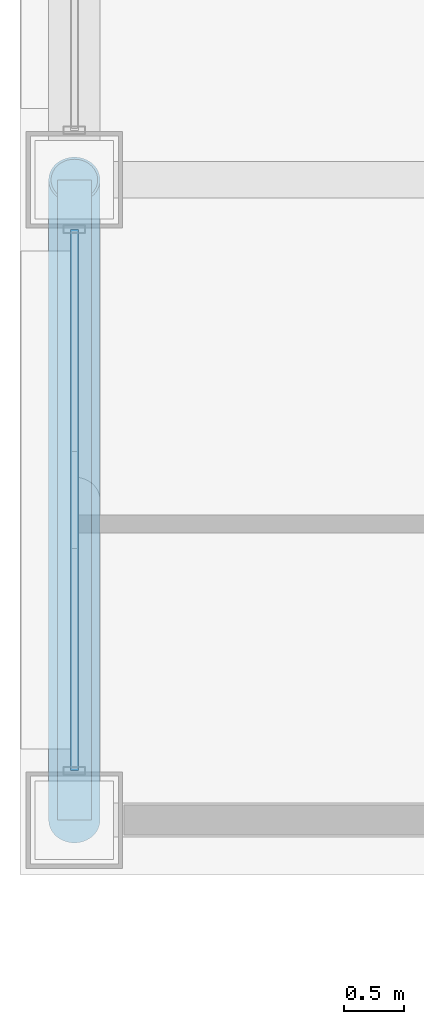
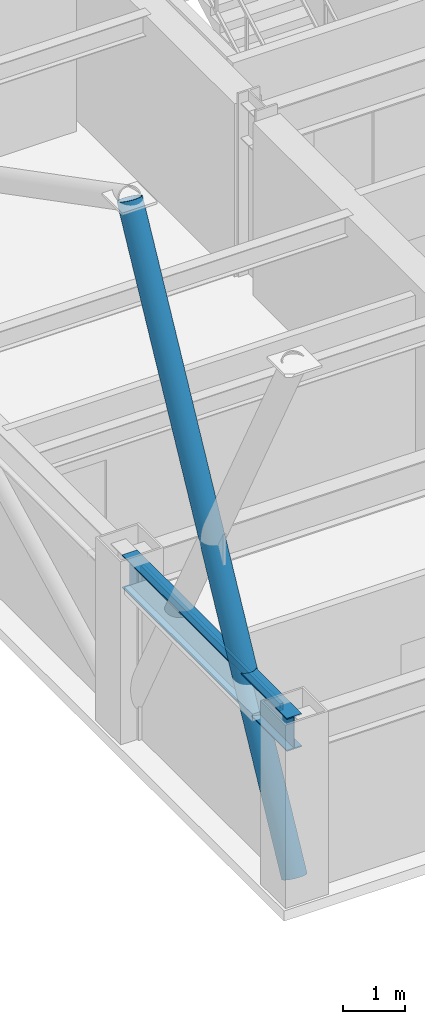
# One storey, part 3 of 33: 2 members, 1 beam, 1 element without a shape of its own.
"""IFC4 building model written with IfcOpenShell, lengths in metres."""

from ifc_helpers import new_model, si_unit, direction, frame, origin, origin_2d, place, context, subcontext, project, spatial, hollow_rectangle, hollow_circle, i_section, extrude, material, layer, layer_set, material_profile, profile_set, type_object, element, aggregate, save


model = new_model("IFC4")

# Units and contexts
model_context = context("Model", 3, precision=1e-05, world=origin(), true_north=direction((0.0, 1.0)))
body_context = subcontext(model_context, "Body", "Model", "MODEL_VIEW")
ifc_project = project(units=[si_unit("LENGTHUNIT", "METRE"), si_unit("AREAUNIT", "SQUARE_METRE"), si_unit("VOLUMEUNIT", "CUBIC_METRE"), si_unit("PLANEANGLEUNIT", "RADIAN"), si_unit("MASSUNIT", "GRAM", prefix="KILO")], contexts=[model_context])

# Site, building, storey
site_placement = place(None, origin())
site = spatial("IfcSite", under=ifc_project, at=site_placement, CompositionType="ELEMENT")
building_placement = place(site_placement, origin())
building = spatial("IfcBuilding", under=site, at=building_placement, Name="Brelmoor Portico Tower", CompositionType="ELEMENT")
storey_placement = place(building_placement, frame((0.0, 0.0, 120.60009765625)))
storey = spatial("IfcBuildingStorey", under=building, at=storey_placement, Name="L31", CompositionType="ELEMENT", Elevation=120.60009765625)

# Beam
ifc_material_1 = material(Name="Steel Q355B", Category="steel")
ifc_material_profile_1 = material_profile(ifc_material_1, i_section(OverallWidth=0.280029296875, OverallDepth=0.64990234375, WebThickness=0.012939453125, FlangeThickness=0.02197265625, at=origin_2d()), Name="HN 650x280x13x22")
ifc_profile_set_1 = profile_set([ifc_material_profile_1], Name="Steel Q355B")
beam_type = type_object("IfcBeamType", Name="BM-SP-650", PredefinedType="SPANDREL", material=ifc_profile_set_1)
beam_placement = place(storey_placement, frame((-22.550048828125, -15.050048828125, 3.074951171875), z_axis=(0.0, 1.0, 0.0), x_axis=(-1.0, 0.0, 0.0)))
element("IfcBeam", 1, at=beam_placement, inside=storey, type_object=beam_type, Name="L31 Perimeter Spandrel Beam SP-15", PredefinedType="SPANDREL", context=body_context, shape_type="SweptSolid", body=[
    extrude(i_section(OverallWidth=0.280029296875, OverallDepth=0.64990234375, WebThickness=0.012939453125, FlangeThickness=0.02197265625, at=origin_2d()), origin(), (0.0, 0.0, 1.0), 5.300048828125),
])

# Member
ifc_material_profile_2 = material_profile(ifc_material_1, hollow_circle(Radius=0.212890625, WallThickness=0.02001953125, at=origin_2d()), Name="CHS 426x20")
ifc_profile_set_2 = profile_set([ifc_material_profile_2], Name="Steel Q355B")
member_type_1 = type_object("IfcMemberType", Name="MB-BELT-DIAG1", PredefinedType="BRACE", material=ifc_profile_set_2)
member_1_placement = place(storey_placement, frame((-22.550048828125, -15.050048828125, 0.25), z_axis=(0.0, 0.464670709165, 0.885483558314), x_axis=(-1.0, 0.0, 0.0)))
element("IfcMember", 2, at=member_1_placement, inside=storey, type_object=member_type_1, Name="L31 Continuous Mega-X Brace 069A", PredefinedType="BRACE", context=body_context, shape_type="SweptSolid", body=[
    extrude(hollow_circle(Radius=0.212890625, WallThickness=0.02001953125, at=origin_2d()), origin(), (0.0, 0.0, 1.0), 11.406005859375),
])

# Curtain wall, member
ifc_material_2 = material(Name="Anodised Aluminium Alloy 6063-T6", Category="aluminium")
ifc_layer = layer(ifc_material_2, 0.179931640625)
ifc_layer_set = layer_set([ifc_layer], Name="Anodised Aluminium Alloy 6063-T6")
curtain_wall_type = type_object("IfcCurtainWallType", Name="CW-TOWER-Z2-XB", PredefinedType="NOTDEFINED", material=ifc_layer_set)
curtain_wall_placement = place(storey_placement, origin())
curtain_wall = element("IfcCurtainWall", 3, at=curtain_wall_placement, inside=storey, type_object=curtain_wall_type, Name="L31 Curtain Wall CW-L31-03-1", PredefinedType="NOTDEFINED")
ifc_material_profile_3 = material_profile(ifc_material_2, hollow_rectangle(XDim=0.06494140625, YDim=0.139892578125, WallThickness=0.00390625, at=origin_2d()), Name="ALU TRANSOM 65x140")
ifc_profile_set_3 = profile_set([ifc_material_profile_3], Name="Anodised Aluminium Alloy 6063-T6")
member_type_2 = type_object("IfcMemberType", Name="MB-CW-TRAN-140", PredefinedType="USERDEFINED", material=ifc_profile_set_3)
member_2_placement = place(storey_placement, frame((-22.550048828125, -14.639892578125, 3.329833984375), z_axis=(0.0, 1.0, 0.0), x_axis=(-1.0, 0.0, 0.0)))
member_2 = element("IfcMember", 4, at=member_2_placement, type_object=member_type_2, Name="CW-L31-03-1 Transom 1-00", ObjectType="TRANSOM", PredefinedType="USERDEFINED", context=body_context, shape_type="SweptSolid", body=[
    extrude(hollow_rectangle(XDim=0.06494140625, YDim=0.139892578125, WallThickness=0.00390625, at=origin_2d()), origin(), (0.0, 0.0, 1.0), 4.47998046875),
])
aggregate(curtain_wall, [member_2])

save(model, "model.ifc")
